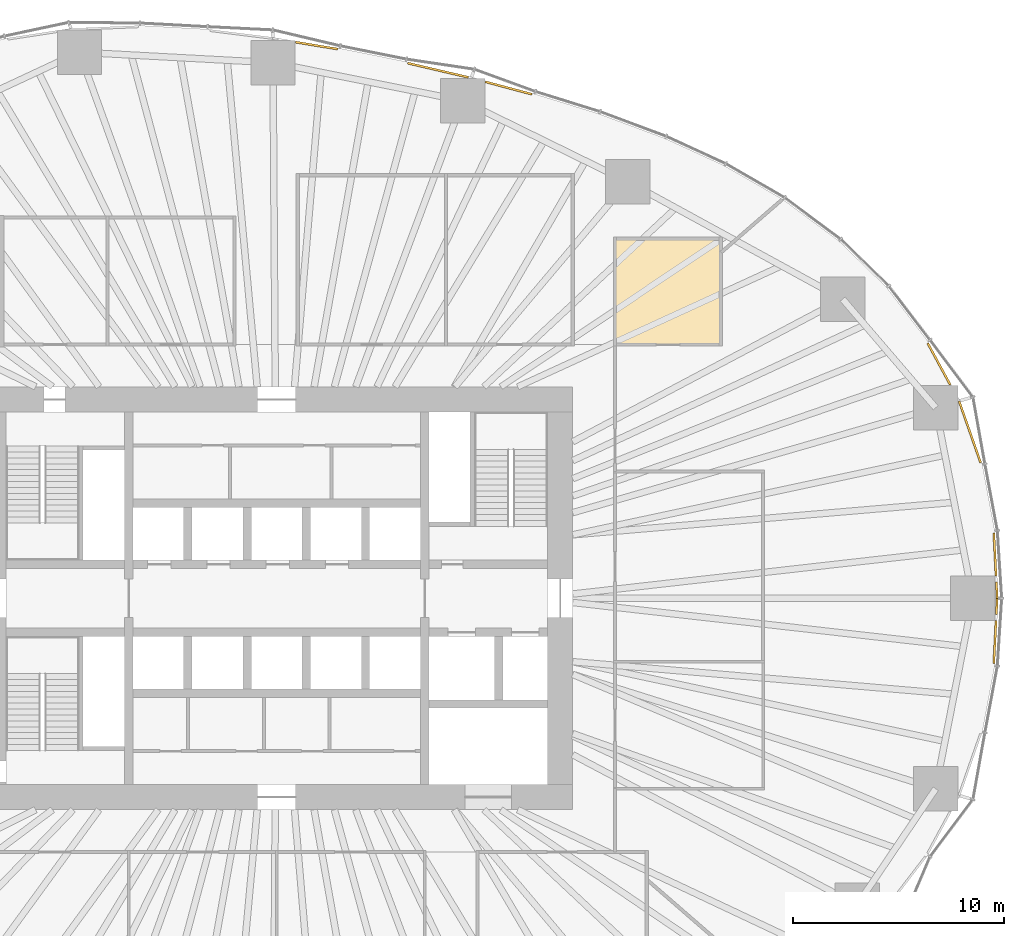
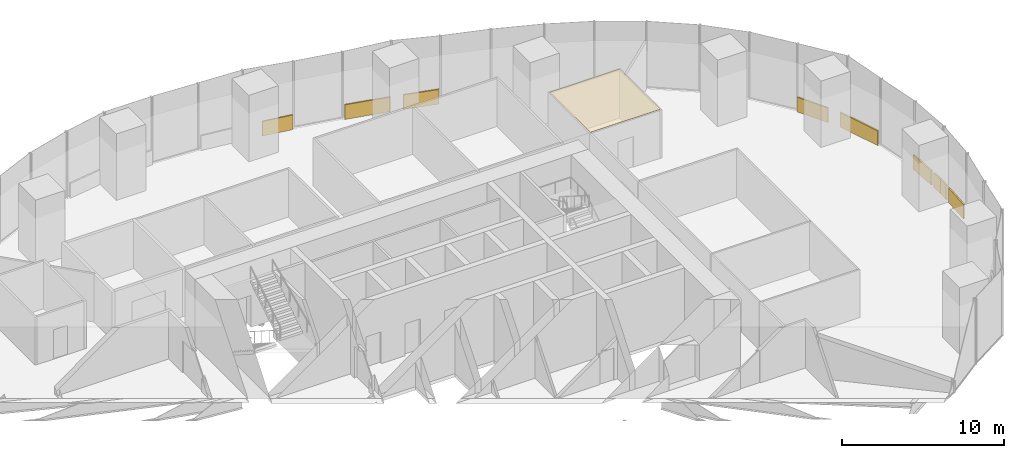
# One storey, part 20 of 20: 10 coverings.
"""IFC4 building model written with IfcOpenShell, lengths in metres."""

from ifc_helpers import new_model, si_unit, direction, frame, origin, origin_2d, place, context, subcontext, project, spatial, polyline, rectangle, outline, extrude, material, layer, layer_set, type_object, element, save


model = new_model("IFC4")

# Units and contexts
model_context = context("Model", 3, precision=1e-05, world=origin(), true_north=direction((0.0, 1.0)))
body_context = subcontext(model_context, "Body", "Model", "MODEL_VIEW")
ifc_project = project(units=[si_unit("LENGTHUNIT", "METRE"), si_unit("AREAUNIT", "SQUARE_METRE"), si_unit("VOLUMEUNIT", "CUBIC_METRE"), si_unit("PLANEANGLEUNIT", "RADIAN"), si_unit("MASSUNIT", "GRAM", prefix="KILO")], contexts=[model_context])

# Site, building, storey
site_placement = place(None, origin())
site = spatial("IfcSite", under=ifc_project, at=site_placement, CompositionType="ELEMENT")
building_placement = place(site_placement, origin())
building = spatial("IfcBuilding", under=site, at=building_placement, Name="Ghaith Harvest Tower", CompositionType="ELEMENT")
storey_placement = place(building_placement, frame((0.0, 0.0, 40.0)))
storey = spatial("IfcBuildingStorey", under=building, at=storey_placement, Name="L08", CompositionType="ELEMENT", Elevation=40.0)

# Coverings
ifc_material_1 = material(Name="Mineral fibre ceiling tile", Category="gypsum")
ifc_layer_1 = layer(ifc_material_1, 0.02490234375)
ifc_layer_set_1 = layer_set([ifc_layer_1], Name="CEILING C2")
covering_type_1 = type_object("IfcCoveringType", Name="CEILING C2", PredefinedType="CEILING", material=ifc_layer_set_1)
covering_1_placement = place(storey_placement, frame((0.0, 0.0, 3.60009765625)))
element("IfcCovering", 1, at=covering_1_placement, inside=storey, type_object=covering_type_1, Name="Ceiling L08-16", PredefinedType="CEILING", context=body_context, shape_type="SweptSolid", body=[
    extrude(outline(polyline([(16.0, 12.0), (21.0, 12.0), (21.0, 17.0), (16.0, 17.0), (16.0, 12.0)])), origin(), (0.0, 0.0, 1.0), 0.02490234375),
])
ifc_material_2 = material(Name="Insulated aluminium spandrel panel on steel framing", Category="steel")
ifc_layer_2 = layer(ifc_material_2, 0.10009765625)
ifc_layer_set_2 = layer_set([ifc_layer_2], Name="SLAB EDGE UPSTAND 1100x100")
covering_type_2 = type_object("IfcCoveringType", Name="SLAB EDGE UPSTAND 1100x100", PredefinedType="CLADDING", material=ifc_layer_set_2)
covering_2_placement = place(storey_placement, frame((34.054931640625, 0.38232421875, 0.0), z_axis=(0.0, 0.0, 1.0), x_axis=(-0.052048501689, 0.998644558125, 0.0)))
element("IfcCovering", 2, at=covering_2_placement, inside=storey, type_object=covering_type_2, Name="Slab edge upstand 1 bay 01 L08", PredefinedType="CLADDING", context=body_context, shape_type="SweptSolid", body=[
    extrude(rectangle(XDim=0.77099609375, YDim=0.10009765625, at=origin_2d()), origin(), (0.0, 0.0, 1.0), 1.10009765625),
])
covering_3_placement = place(storey_placement, frame((33.966796875, 2.0771484375, 0.0), z_axis=(0.0, 0.0, 1.0), x_axis=(-0.052048501689, 0.998644558125, 0.0)))
element("IfcCovering", 3, at=covering_3_placement, inside=storey, type_object=covering_type_2, Name="Slab edge upstand 1 bay 01 L08", PredefinedType="CLADDING", context=body_context, shape_type="SweptSolid", body=[
    extrude(rectangle(XDim=2.03173828125, YDim=0.10009765625, at=origin_2d()), origin(), (0.0, 0.0, 1.0), 1.10009765625),
])
covering_4_placement = place(storey_placement, frame((32.7822265625, 7.865234375, 0.0), z_axis=(0.0, 0.0, 1.0), x_axis=(-0.330597697022, 0.943771774702, 0.0)))
element("IfcCovering", 4, at=covering_4_placement, inside=storey, type_object=covering_type_2, Name="Slab edge upstand 3 bay 01 L08", PredefinedType="CLADDING", context=body_context, shape_type="SweptSolid", body=[
    extrude(rectangle(XDim=3.080078125, YDim=0.10009765625, at=origin_2d()), origin(), (0.0, 0.0, 1.0), 1.10009765625),
])
covering_5_placement = place(storey_placement, frame((31.32177734375, 11.075439453125, 0.0), z_axis=(0.0, 0.0, 1.0), x_axis=(-0.476349292539, 0.87925613532, 0.0)))
element("IfcCovering", 5, at=covering_5_placement, inside=storey, type_object=covering_type_2, Name="Slab edge upstand 1 bay 02 L08", PredefinedType="CLADDING", context=body_context, shape_type="SweptSolid", body=[
    extrude(rectangle(XDim=2.237548828125, YDim=0.10009765625, at=origin_2d()), origin(), (0.0, 0.0, 1.0), 1.10009765625),
])
covering_6_placement = place(storey_placement, frame((10.968994140625, 24.1298828125, 0.0), z_axis=(0.0, 0.0, 1.0), x_axis=(-0.9660243418, 0.258451099919, 0.0)))
element("IfcCovering", 6, at=covering_6_placement, inside=storey, type_object=covering_type_2, Name="Slab edge upstand 3 bay 04 L08", PredefinedType="CLADDING", context=body_context, shape_type="SweptSolid", body=[
    extrude(rectangle(XDim=2.27978515625, YDim=0.10009765625, at=origin_2d()), origin(), (0.0, 0.0, 1.0), 1.10009765625),
])
covering_7_placement = place(storey_placement, frame((7.627685546875, 24.971435546875, 0.0), z_axis=(0.0, 0.0, 1.0), x_axis=(-0.973634089594, 0.228115452305, 0.0)))
element("IfcCovering", 7, at=covering_7_placement, inside=storey, type_object=covering_type_2, Name="Slab edge upstand 1 bay 05 L08", PredefinedType="CLADDING", context=body_context, shape_type="SweptSolid", body=[
    extrude(rectangle(XDim=2.943359375, YDim=0.10009765625, at=origin_2d()), origin(), (0.0, 0.0, 1.0), 1.10009765625),
])
covering_8_placement = place(storey_placement, frame((1.891845703125, 26.135009765625, 0.0), z_axis=(0.0, 0.0, 1.0), x_axis=(-0.986716247541, 0.162453214305, 0.0)))
element("IfcCovering", 8, at=covering_8_placement, inside=storey, type_object=covering_type_2, Name="Slab edge upstand 3 bay 05 L08", PredefinedType="CLADDING", context=body_context, shape_type="SweptSolid", body=[
    extrude(rectangle(XDim=2.0205078125, YDim=0.10009765625, at=origin_2d()), origin(), (0.0, 0.0, 1.0), 1.10009765625),
])
covering_9_placement = place(storey_placement, frame((33.966796875, -2.0771484375, 0.0), z_axis=(0.0, 0.0, 1.0), x_axis=(0.052048501794, 0.998644558119, 0.0)))
element("IfcCovering", 9, at=covering_9_placement, inside=storey, type_object=covering_type_2, Name="Slab edge upstand 3 bay 20 L08", PredefinedType="CLADDING", context=body_context, shape_type="SweptSolid", body=[
    extrude(rectangle(XDim=2.03173828125, YDim=0.10009765625, at=origin_2d()), origin(), (0.0, 0.0, 1.0), 1.10009765625),
])
covering_10_placement = place(storey_placement, frame((34.054931640625, -0.38232421875, 0.0), z_axis=(0.0, 0.0, 1.0), x_axis=(0.052048501794, 0.998644558119, 0.0)))
element("IfcCovering", 10, at=covering_10_placement, inside=storey, type_object=covering_type_2, Name="Slab edge upstand 3 bay 20 L08", PredefinedType="CLADDING", context=body_context, shape_type="SweptSolid", body=[
    extrude(rectangle(XDim=0.77099609375, YDim=0.10009765625, at=origin_2d()), origin(), (0.0, 0.0, 1.0), 1.10009765625),
])

save(model, "model.ifc")
